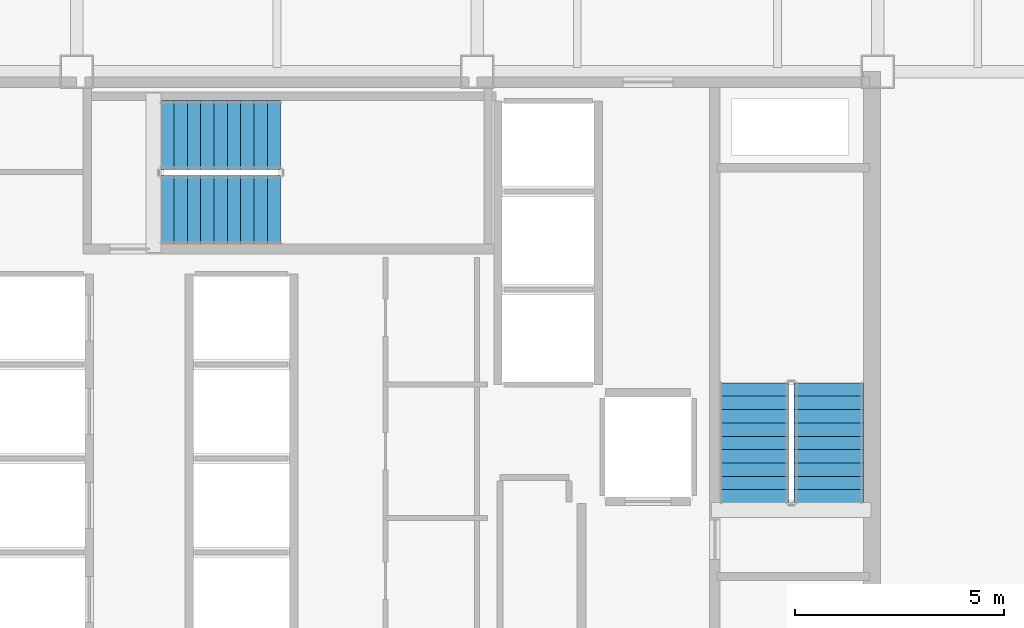
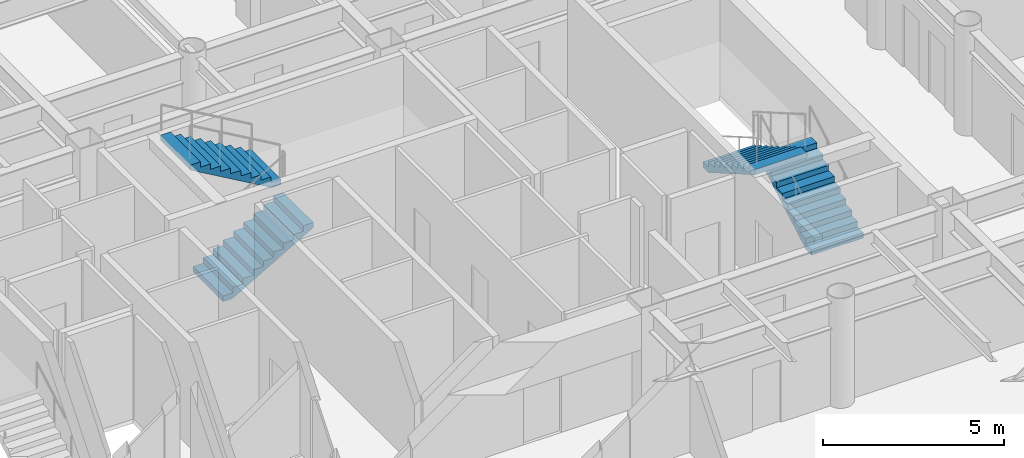
# One storey, part 20 of 21: 4 stair flights, 2 elements without a shape of their own.
"""IFC4 building model written with IfcOpenShell, lengths in metres."""

from ifc_helpers import new_model, si_unit, direction, frame, origin, place, context, subcontext, project, spatial, polyline, outline, extrude, material, type_object, element, aggregate, save


model = new_model("IFC4")

# Units and contexts
model_context = context("Model", 3, precision=1e-05, world=origin(), true_north=direction((0.0, 1.0)))
body_context = subcontext(model_context, "Body", "Model", "MODEL_VIEW")
ifc_project = project(units=[si_unit("LENGTHUNIT", "METRE"), si_unit("AREAUNIT", "SQUARE_METRE"), si_unit("VOLUMEUNIT", "CUBIC_METRE"), si_unit("PLANEANGLEUNIT", "RADIAN"), si_unit("MASSUNIT", "GRAM", prefix="KILO")], contexts=[model_context])

# Site, building, storey
site_placement = place(None, origin())
site = spatial("IfcSite", under=ifc_project, at=site_placement, CompositionType="ELEMENT")
building_placement = place(site_placement, origin())
building = spatial("IfcBuilding", under=site, at=building_placement, Name="Kallvorn Hotel Tower", CompositionType="ELEMENT")
storey_placement = place(building_placement, frame((0.0, 0.0, 52.199951171875)))
storey = spatial("IfcBuildingStorey", under=building, at=storey_placement, Name="L11", CompositionType="ELEMENT", Elevation=52.199951171875)

# Stair, stair flights
ifc_material_1 = material(Name="Precast concrete C40/50", Category="concrete")
stair_type = type_object("IfcStairType", Name="STR_CORE_DOGLEG", PredefinedType="HALF_TURN_STAIR", material=ifc_material_1)
stair_1_placement = place(storey_placement, origin())
stair_1 = element("IfcStair", 1, at=stair_1_placement, inside=storey, type_object=stair_type, Name="L11 Exit stair ST2", PredefinedType="HALF_TURN_STAIR")
ifc_material_2 = material(Name="Precast concrete C40/50", Category="concrete")
stair_flight_type = type_object("IfcStairFlightType", Name="FLT_CORE_1660", PredefinedType="STRAIGHT", material=ifc_material_2)
stair_flight_1_placement = place(storey_placement, frame((13.22998046875, -3.139892578125, 0.0), z_axis=(0.0, 0.0, 1.0), x_axis=(0.0, 1.0, 0.0)))
stair_flight_1 = element("IfcStairFlight", 2, at=stair_flight_1_placement, type_object=stair_flight_type, Name="ST2 flight 1", NumberOfRisers=10, NumberOfTreads=9, PredefinedType="STRAIGHT", RiserHeight=0.185, TreadLength=0.32, context=body_context, shape_type="SweptSolid", body=[
    extrude(outline(polyline([(0.0, 0.0), (0.0, 0.18505859375), (0.320068359375, 0.18505859375), (0.320068359375, 0.3701171875), (0.639892578125, 0.3701171875), (0.639892578125, 0.554931640625), (0.9599609375, 0.554931640625), (0.9599609375, 0.739990234375), (1.280029296875, 0.739990234375), (1.280029296875, 0.925048828125), (1.60009765625, 0.925048828125), (1.60009765625, 1.110107421875), (1.919921875, 1.110107421875), (1.919921875, 1.294921875), (2.239990234375, 1.294921875), (2.239990234375, 1.47998046875), (2.56005859375, 1.47998046875), (2.56005859375, 1.6650390625), (2.8798828125, 1.6650390625), (2.8798828125, 1.85009765625), (2.8798828125, 1.491943359375), (0.299560546875, 0.0), (0.0, 0.0)])), frame((0.0, 0.830078125, 0.0), z_axis=(0.0, -1.0, 0.0), x_axis=(1.0, 0.0, 0.0)), (0.0, 0.0, 1.0), 1.659912109375),
])
stair_flight_2_placement = place(storey_placement, frame((11.429931640625, -0.260009765625, 1.85009765625), z_axis=(0.0, 0.0, 1.0), x_axis=(0.0, -1.0, 0.0)))
stair_flight_2 = element("IfcStairFlight", 3, at=stair_flight_2_placement, type_object=stair_flight_type, Name="ST2 flight 2", NumberOfRisers=10, NumberOfTreads=9, PredefinedType="STRAIGHT", RiserHeight=0.185, TreadLength=0.32, context=body_context, shape_type="SweptSolid", body=[
    extrude(outline(polyline([(0.0, 0.0), (0.0, 0.18505859375), (0.320068359375, 0.18505859375), (0.320068359375, 0.3701171875), (0.639892578125, 0.3701171875), (0.639892578125, 0.554931640625), (0.9599609375, 0.554931640625), (0.9599609375, 0.739990234375), (1.280029296875, 0.739990234375), (1.280029296875, 0.925048828125), (1.60009765625, 0.925048828125), (1.60009765625, 1.110107421875), (1.919921875, 1.110107421875), (1.919921875, 1.294921875), (2.239990234375, 1.294921875), (2.239990234375, 1.47998046875), (2.56005859375, 1.47998046875), (2.56005859375, 1.6650390625), (2.8798828125, 1.6650390625), (2.8798828125, 1.85009765625), (2.8798828125, 1.491943359375), (0.299560546875, 0.0), (0.0, 0.0)])), frame((0.0, 0.830078125, 0.0), z_axis=(0.0, -1.0, 0.0), x_axis=(1.0, 0.0, 0.0)), (0.0, 0.0, 1.0), 1.659912109375),
])
aggregate(stair_1, [stair_flight_1, stair_flight_2])

stair_2_placement = place(storey_placement, origin())
stair_2 = element("IfcStair", 4, at=stair_2_placement, inside=storey, type_object=stair_type, Name="L11 Exit stair ST3", PredefinedType="HALF_TURN_STAIR")
stair_flight_3_placement = place(storey_placement, frame((-2.7900390625, 3.8798828125, 0.0), z_axis=(0.0, 0.0, 1.0), x_axis=(1.0, 0.0, 0.0)))
stair_flight_3 = element("IfcStairFlight", 5, at=stair_flight_3_placement, type_object=stair_flight_type, Name="ST3 flight 1", NumberOfRisers=10, NumberOfTreads=9, PredefinedType="STRAIGHT", RiserHeight=0.185, TreadLength=0.32, context=body_context, shape_type="SweptSolid", body=[
    extrude(outline(polyline([(0.0, 0.0), (0.0, 0.18505859375), (0.320068359375, 0.18505859375), (0.320068359375, 0.3701171875), (0.639892578125, 0.3701171875), (0.639892578125, 0.554931640625), (0.9599609375, 0.554931640625), (0.9599609375, 0.739990234375), (1.280029296875, 0.739990234375), (1.280029296875, 0.925048828125), (1.60009765625, 0.925048828125), (1.60009765625, 1.110107421875), (1.919921875, 1.110107421875), (1.919921875, 1.294921875), (2.239990234375, 1.294921875), (2.239990234375, 1.47998046875), (2.56005859375, 1.47998046875), (2.56005859375, 1.6650390625), (2.8798828125, 1.6650390625), (2.8798828125, 1.85009765625), (2.8798828125, 1.491943359375), (0.299560546875, 0.0), (0.0, 0.0)])), frame((0.0, 0.830078125, 0.0), z_axis=(0.0, -1.0, 0.0), x_axis=(1.0, 0.0, 0.0)), (0.0, 0.0, 1.0), 1.659912109375),
])
stair_flight_4_placement = place(storey_placement, frame((0.090087890625, 5.679931640625, 1.85009765625), z_axis=(0.0, 0.0, 1.0), x_axis=(-1.0, 0.0, 0.0)))
stair_flight_4 = element("IfcStairFlight", 6, at=stair_flight_4_placement, type_object=stair_flight_type, Name="ST3 flight 2", NumberOfRisers=10, NumberOfTreads=9, PredefinedType="STRAIGHT", RiserHeight=0.185, TreadLength=0.32, context=body_context, shape_type="SweptSolid", body=[
    extrude(outline(polyline([(0.0, 0.0), (0.0, 0.18505859375), (0.320068359375, 0.18505859375), (0.320068359375, 0.3701171875), (0.639892578125, 0.3701171875), (0.639892578125, 0.554931640625), (0.9599609375, 0.554931640625), (0.9599609375, 0.739990234375), (1.280029296875, 0.739990234375), (1.280029296875, 0.925048828125), (1.60009765625, 0.925048828125), (1.60009765625, 1.110107421875), (1.919921875, 1.110107421875), (1.919921875, 1.294921875), (2.239990234375, 1.294921875), (2.239990234375, 1.47998046875), (2.56005859375, 1.47998046875), (2.56005859375, 1.6650390625), (2.8798828125, 1.6650390625), (2.8798828125, 1.85009765625), (2.8798828125, 1.491943359375), (0.299560546875, 0.0), (0.0, 0.0)])), frame((0.0, 0.830078125, 0.0), z_axis=(0.0, -1.0, 0.0), x_axis=(1.0, 0.0, 0.0)), (0.0, 0.0, 1.0), 1.659912109375),
])
aggregate(stair_2, [stair_flight_3, stair_flight_4])

save(model, "model.ifc")
